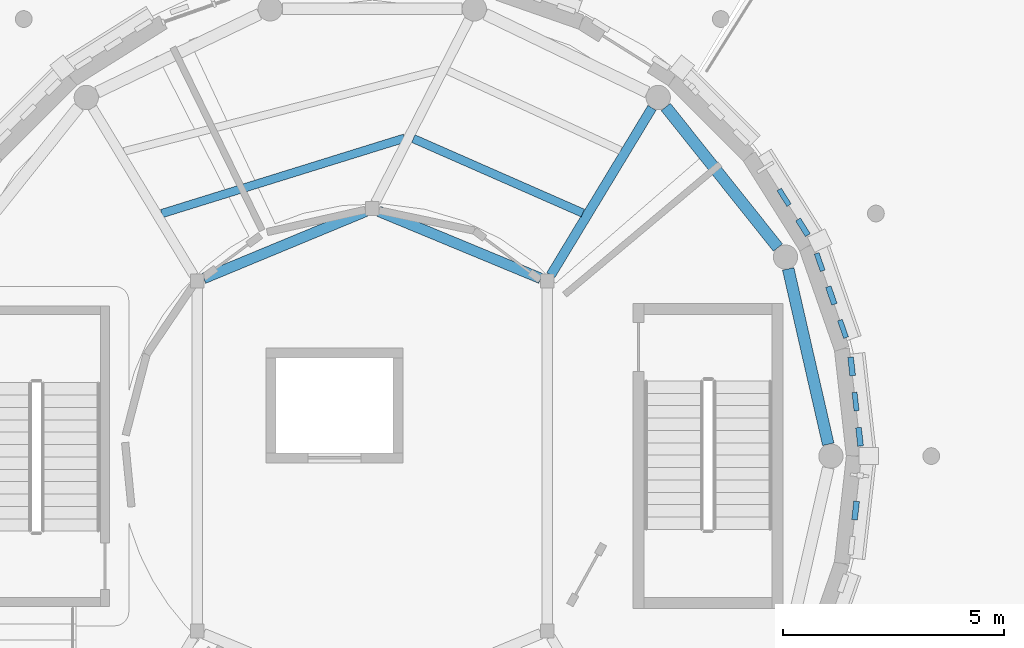
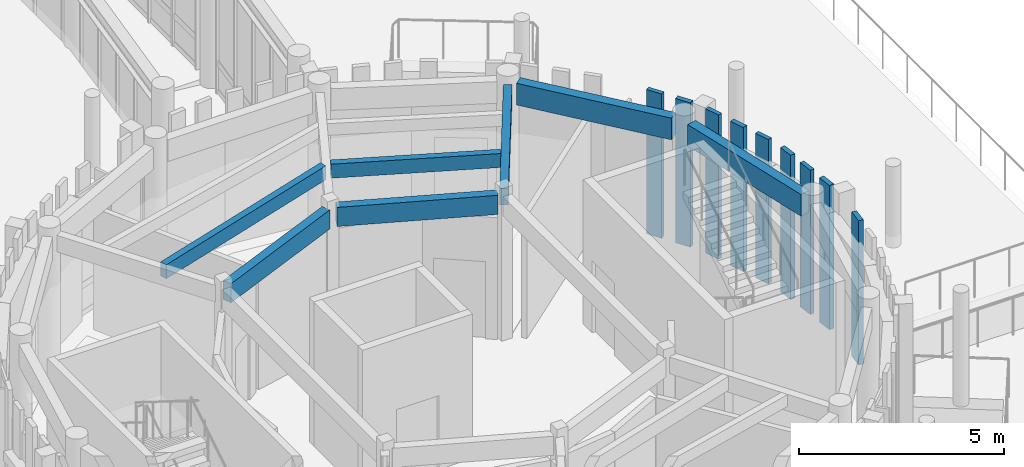
# One storey, part 12 of 94: 9 members, 7 beams.
"""IFC4 building model written with IfcOpenShell, lengths in metres."""

import ifcopenshell
import ifcopenshell.guid

model = None  # the IFC model being written
_history = None  # IfcOwnerHistory: only IFC2X3 demands one
_inside = {}  # id of a spatial element -> (the spatial element, [elements in it])
_under = {}  # id of a project, library or spatial element -> (it, [spatial elements below it])
_declared = {}  # id of a project -> (the project, [libraries it declares])
_typed = {}  # id of a type object -> (the type object, [elements of that type])
_made_of = {}  # id of a material, layer set ... -> (it, [elements and type objects made of it])


def new_model(schema):
    """Start an empty IFC model of exactly this schema.

    Asked for "IFC4X3", IfcOpenShell would pick the latest addendum, in which some entities
    have other attributes; the version numbers below select the first issue.
    IFC2X3 requires an IfcOwnerHistory on every rooted entity: one is made here for all.
    """
    global model, _history
    if schema == "IFC4X3":
        model = ifcopenshell.file(schema_version=(4, 3, 0, 0))
    else:
        model = ifcopenshell.file(schema=schema)
    _inside.clear()
    _under.clear()
    _declared.clear()
    _typed.clear()
    _made_of.clear()
    _history = None
    if model.schema == "IFC2X3":
        org = make("IfcOrganization", Name="unknown")
        user = make(
            "IfcPersonAndOrganization",
            ThePerson=make("IfcPerson", FamilyName="unknown"),
            TheOrganization=org,
        )
        app = make(
            "IfcApplication",
            ApplicationDeveloper=org,
            Version="unknown",
            ApplicationFullName="unknown",
            ApplicationIdentifier="unknown",
        )
        _history = make(
            "IfcOwnerHistory",
            OwningUser=user,
            OwningApplication=app,
            ChangeAction="ADDED",
            CreationDate=0,
        )
    return model


def make(cls, **values):
    """One entity of the class cls with the attributes given. An attribute that is None is left unset."""
    return model.create_entity(
        cls, **{name: value for name, value in values.items() if value is not None}
    )


def rooted(cls, **values):
    """An entity with a GlobalId (a new one), such as an element, a storey or a relation."""
    return make(cls, GlobalId=ifcopenshell.guid.new(), OwnerHistory=_history, **values)


def si_unit(unit_type, name, prefix=None):
    """IfcSIUnit, for example si_unit("LENGTHUNIT", "METRE", prefix="MILLI")."""
    return make("IfcSIUnit", UnitType=unit_type, Prefix=prefix, Name=name)


def assignment(units):
    """IfcUnitAssignment: the units of a project."""
    return None if units is None else make("IfcUnitAssignment", Units=units)


def point(xyz):
    """IfcCartesianPoint."""
    return None if xyz is None else make("IfcCartesianPoint", Coordinates=xyz)


def direction(xyz):
    """IfcDirection."""
    return None if xyz is None else make("IfcDirection", DirectionRatios=xyz)


def frame(location, z_axis=None, x_axis=None):
    """IfcAxis2Placement3D, a coordinate frame: its origin and axes. An axis left out is left unset."""
    return make(
        "IfcAxis2Placement3D",
        Location=point(location),
        Axis=direction(z_axis),
        RefDirection=direction(x_axis),
    )


def frame_2d(location, x_axis=None):
    """IfcAxis2Placement2D, a coordinate frame in the plane: its origin and x axis."""
    return make(
        "IfcAxis2Placement2D", Location=point(location), RefDirection=direction(x_axis)
    )


def origin():
    """The frame at (0, 0, 0) with its axes left unset."""
    return frame((0.0, 0.0, 0.0))


def origin_2d():
    """The frame at (0, 0) in the plane with its x axis left unset."""
    return frame_2d((0.0, 0.0))


def place(relative_to, where):
    """IfcLocalPlacement: puts the frame where relative to a parent placement (None: the world)."""
    return make(
        "IfcLocalPlacement", PlacementRelTo=relative_to, RelativePlacement=where
    )


def context(
    kind, dimensions, precision=None, world=None, true_north=None, identifier=None
):
    """IfcGeometricRepresentationContext, for example the 3D "Model" context."""
    return make(
        "IfcGeometricRepresentationContext",
        ContextIdentifier=identifier,
        ContextType=kind,
        CoordinateSpaceDimension=dimensions,
        Precision=precision,
        WorldCoordinateSystem=world,
        TrueNorth=true_north,
    )


def subcontext(parent, identifier, kind, view, scale=None):
    """IfcGeometricRepresentationSubContext, for example "Body" below "Model"."""
    return make(
        "IfcGeometricRepresentationSubContext",
        ContextIdentifier=identifier,
        ContextType=kind,
        ParentContext=parent,
        TargetScale=scale,
        TargetView=view,
    )


def project(units=None, contexts=None):
    """IfcProject with its units and contexts."""
    return rooted(
        "IfcProject",
        Name="project",
        RepresentationContexts=contexts,
        UnitsInContext=assignment(units),
    )


def spatial(cls, under=None, at=None, **own):
    """A site, building, storey or space (cls), placed at a placement, below another one or the project."""
    s = rooted(cls, ObjectPlacement=at, **own)
    if under is not None:
        _under.setdefault(under.id(), (under, []))[1].append(s)
    return s


def profile(cls, at=None, kind="AREA", **sizes):
    """A parametric profile (cls). Its sizes go by their IFC names, for example OverallWidth=200.0."""
    return make(cls, ProfileType=kind, Position=at, **sizes)


def rectangle(**sizes):
    """IfcRectangleProfileDef."""
    return profile("IfcRectangleProfileDef", **sizes)


def extrude(swept, where, along, depth):
    """IfcExtrudedAreaSolid: the profile swept, set in the frame where, extruded along a direction by depth."""
    return make(
        "IfcExtrudedAreaSolid",
        SweptArea=swept,
        Position=where,
        ExtrudedDirection=direction(along),
        Depth=depth,
    )


def shape(context_of_items, identifier, shape_type, items):
    """IfcShapeRepresentation: the items that make up one representation, for example the "Body"."""
    return make(
        "IfcShapeRepresentation",
        ContextOfItems=context_of_items,
        RepresentationIdentifier=identifier,
        RepresentationType=shape_type,
        Items=items,
    )


def material(Name=None, Category=None):
    """IfcMaterial."""
    return make("IfcMaterial", Name=Name, Category=Category)


def material_profile(
    of_material, cross_section, Name=None, Category=None, Priority=None
):
    """IfcMaterialProfile: a cross section and its material."""
    return make(
        "IfcMaterialProfile",
        Name=Name,
        Material=of_material,
        Profile=cross_section,
        Priority=Priority,
        Category=Category,
    )


def profile_set(profiles, Name=None, composite=None):
    """IfcMaterialProfileSet."""
    return make(
        "IfcMaterialProfileSet",
        Name=Name,
        MaterialProfiles=profiles,
        CompositeProfile=composite,
    )


def made_of(thing, what):
    """Note that an element or type object is made of a material, layer set ...; save() writes the relation."""
    if what is not None:
        _made_of.setdefault(what.id(), (what, []))[1].append(thing)
    return thing


def type_object(cls, material=None, **own):
    """A type object (cls), such as IfcWallType, which elements share."""
    return made_of(rooted(cls, **own), material)


def element(
    cls,
    number,
    at=None,
    inside=None,
    cuts=None,
    type_object=None,
    material=None,
    context=None,
    identifier="Body",
    shape_type=None,
    held_by="IfcProductDefinitionShape",
    body=None,
    shapes=None,
    **own,
):
    """One element of the class cls, such as IfcWall. Its Tag is "e" and its number.

    at: its placement. inside: the storey or other place that contains it. cuts: it is an
    opening in that element (IfcRelVoidsElement). A single representation is given by context,
    identifier, shape_type and body (its items); several are given by shapes. held_by: the class
    of the entity that holds the representations. save() writes the other relations.
    """
    e = rooted(cls, Tag="e%d" % number, ObjectPlacement=at, **own)
    if body is not None:
        shapes = [shape(context, identifier, shape_type, body)]
    if shapes is not None:
        e.Representation = make(held_by, Representations=shapes)
    if inside is not None:
        _inside.setdefault(inside.id(), (inside, []))[1].append(e)
    if cuts is not None:
        rooted(
            "IfcRelVoidsElement", RelatingBuildingElement=cuts, RelatedOpeningElement=e
        )
    if type_object is not None:
        _typed.setdefault(type_object.id(), (type_object, []))[1].append(e)
    return made_of(e, material)


def aggregate(whole, parts):
    """IfcRelAggregates: a whole, such as a stair, and the parts it consists of."""
    return rooted("IfcRelAggregates", RelatingObject=whole, RelatedObjects=parts)


def save(model, path):
    """Write the relations noted so far, then the file.

    IfcRelAggregates (storeys below a building ...), IfcRelContainedInSpatialStructure (elements
    in a storey), IfcRelDefinesByType, IfcRelAssociatesMaterial and IfcRelDeclares: one each for
    every whole, place, type object, material and project.
    """
    for whole, parts in _under.values():
        aggregate(whole, parts)
    for where, things in _inside.values():
        rooted(
            "IfcRelContainedInSpatialStructure",
            RelatedElements=things,
            RelatingStructure=where,
        )
    for kind, things in _typed.values():
        rooted("IfcRelDefinesByType", RelatedObjects=things, RelatingType=kind)
    for what, things in _made_of.values():
        rooted("IfcRelAssociatesMaterial", RelatedObjects=things, RelatingMaterial=what)
    for by, libraries in _declared.values():
        rooted("IfcRelDeclares", RelatingContext=by, RelatedDefinitions=libraries)
    model.write(path)


model = new_model("IFC4")

# Units and contexts
model_context = context("Model", 3, precision=1e-05, world=origin(), true_north=direction((0.0, 1.0)))
body_context = subcontext(model_context, "Body", "Model", "MODEL_VIEW")
ifc_project = project(units=[si_unit("LENGTHUNIT", "METRE"), si_unit("AREAUNIT", "SQUARE_METRE"), si_unit("VOLUMEUNIT", "CUBIC_METRE"), si_unit("PLANEANGLEUNIT", "RADIAN"), si_unit("MASSUNIT", "GRAM", prefix="KILO")], contexts=[model_context])

# Site, building, storey
site_placement = place(None, origin())
site = spatial("IfcSite", under=ifc_project, at=site_placement, CompositionType="ELEMENT")
building_placement = place(site_placement, origin())
building = spatial("IfcBuilding", under=site, at=building_placement, Name="Aldenvaro Health Centre", CompositionType="ELEMENT")
storey_placement = place(building_placement, origin())
storey = spatial("IfcBuildingStorey", under=building, at=storey_placement, Name="L00", CompositionType="ELEMENT", Elevation=0.0)

# Beams
ifc_material = material(Name="Glulam GL28h", Category="wood")
ifc_material_profile_1 = material_profile(ifc_material, rectangle(XDim=0.18994140625, YDim=0.41796875, at=origin_2d()), Name="GL 190x418", Category="wood")
ifc_profile_set_1 = profile_set([ifc_material_profile_1], Name="Glulam GL28h")
beam_type_1 = type_object("IfcBeamType", Name="BM-GL-418", PredefinedType="JOIST", material=ifc_profile_set_1)
beam_1_placement = place(storey_placement, frame((28.26611328125, 62.9990234375, 4.095947265625), z_axis=(-0.915566593655, 0.402166399122, 0.0), x_axis=(-0.402166399122, -0.915566593655, 0.0)))
element("IfcBeam", 1, at=beam_1_placement, inside=storey, type_object=beam_type_1, Name="D3 L00 secondary joist 01.1", PredefinedType="JOIST", context=body_context, shape_type="SweptSolid", body=[
    extrude(rectangle(XDim=0.18994140625, YDim=0.41796875, at=origin_2d()), origin(), (0.0, 0.0, 1.0), 4.18994140625),
])
beam_2_placement = place(storey_placement, frame((24.22900390625, 64.695068359375, 4.095947265625), z_axis=(-0.954919380911, -0.296865248825, 0.0), x_axis=(0.296865248825, -0.954919380911, 0.0)))
element("IfcBeam", 2, at=beam_2_placement, inside=storey, type_object=beam_type_1, Name="D3 L00 secondary joist 02.1", PredefinedType="JOIST", context=body_context, shape_type="SweptSolid", body=[
    extrude(rectangle(XDim=0.18994140625, YDim=0.41796875, at=origin_2d()), origin(), (0.0, 0.0, 1.0), 5.750244140625),
])
ifc_material_profile_2 = material_profile(ifc_material, rectangle(XDim=0.215087890625, YDim=0.493896484375, at=origin_2d()), Name="GL 215x494", Category="wood")
ifc_profile_set_2 = profile_set([ifc_material_profile_2], Name="Glulam GL28h")
beam_type_2 = type_object("IfcBeamType", Name="BM-GL-494", PredefinedType="BEAM", material=ifc_profile_set_2)
beam_3_placement = place(storey_placement, frame((27.541015625, 61.594970703125, 4.05810546875), z_axis=(0.517503931565, 0.855680828823, 0.0), x_axis=(-0.855680828823, 0.517503931565, 0.0)))
element("IfcBeam", 3, at=beam_3_placement, inside=storey, type_object=beam_type_2, Name="D3 L00 radial beam 01", PredefinedType="BEAM", context=body_context, shape_type="SweptSolid", body=[
    extrude(rectangle(XDim=0.215087890625, YDim=0.493896484375, at=origin_2d()), origin(), (0.0, 0.0, 1.0), 4.42333984375),
])
ifc_material_profile_3 = material_profile(ifc_material, rectangle(XDim=0.239990234375, YDim=0.570068359375, at=origin_2d()), Name="GL 240x570", Category="wood")
ifc_profile_set_3 = profile_set([ifc_material_profile_3], Name="Glulam GL28h")
beam_type_3 = type_object("IfcBeamType", Name="BM-GL-570", PredefinedType="BEAM", material=ifc_profile_set_3)
for number, where, z_axis, x_axis, name in (
    (4, (27.31396484375, 61.52001953125, 4.02001953125), (-0.923817443679, 0.382833293686, 0.0), (-0.382833293686, -0.923817443679, 0.0), "D3 L00 inner ring beam 01"),
    (5, (23.35400390625, 63.0400390625, 4.02001953125), (-0.923817443679, -0.382833293686, 0.0), (0.382833293686, -0.923817443679, 0.0), "D3 L00 inner ring beam 02"),
):
    element("IfcBeam", number, at=place(storey_placement, frame(where, z_axis=z_axis, x_axis=x_axis)), inside=storey, type_object=beam_type_3, Name=name, PredefinedType="BEAM", context=body_context, shape_type="SweptSolid", body=[
        extrude(rectangle(XDim=0.239990234375, YDim=0.570068359375, at=origin_2d()), origin(), (0.0, 0.0, 1.0), 3.970458984375),
    ])
ifc_material_profile_4 = material_profile(ifc_material, rectangle(XDim=0.264892578125, YDim=0.64599609375, at=origin_2d()), Name="GL 265x646", Category="wood")
ifc_profile_set_4 = profile_set([ifc_material_profile_4], Name="Glulam GL28h")
beam_type_4 = type_object("IfcBeamType", Name="BM-GL-646", PredefinedType="SPANDREL", material=ifc_profile_set_4)
beam_4_placement = place(storey_placement, frame((33.819091796875, 57.76806640625, 3.98193359375), z_axis=(-0.222598403524, 0.97491022702, 0.0), x_axis=(-0.97491022702, -0.222598403524, 0.0)))
element("IfcBeam", 6, at=beam_4_placement, inside=storey, type_object=beam_type_4, Name="D3 L00 perimeter spandrel 01", PredefinedType="SPANDREL", context=body_context, shape_type="SweptSolid", body=[
    extrude(rectangle(XDim=0.264892578125, YDim=0.64599609375, at=origin_2d()), origin(), (0.0, 0.0, 1.0), 4.070068359375),
])
beam_5_placement = place(storey_placement, frame((32.680908203125, 62.218994140625, 3.98193359375), z_axis=(-0.623662856495, 0.781693444663, 0.0), x_axis=(-0.781693444663, -0.623662856495, 0.0)))
element("IfcBeam", 7, at=beam_5_placement, inside=storey, type_object=beam_type_4, Name="D3 L00 perimeter spandrel 02", PredefinedType="SPANDREL", context=body_context, shape_type="SweptSolid", body=[
    extrude(rectangle(XDim=0.264892578125, YDim=0.64599609375, at=origin_2d()), origin(), (0.0, 0.0, 1.0), 4.0693359375),
])

# Members
ifc_material_profile_5 = material_profile(ifc_material, rectangle(XDim=0.114990234375, YDim=0.419921875, at=origin_2d()), Name="GL 115x420", Category="wood")
ifc_profile_set_5 = profile_set([ifc_material_profile_5], Name="Glulam GL28h")
member_type_1 = type_object("IfcMemberType", Name="MEM-SLT-420A", PredefinedType="POST", material=ifc_profile_set_5)
for number, where, z_axis, x_axis, name in (
    (8, (32.820068359375, 63.35595703125, 0.0), (0.0, 0.0, 1.0), (0.846684003256, 0.532096042675, 0.0), "D3 L00 vertical timber slat 26.2"),
    (9, (33.625, 61.889892578125, 0.0), (0.0, 0.0, 1.0), (0.943909441385, 0.330204431323, 0.0), "D3 L00 vertical timber slat 27.1"),
    (10, (34.153076171875, 60.37890625, 0.0), (0.0, 0.0, 1.0), (0.943909441385, 0.330204431323, 0.0), "D3 L00 vertical timber slat 27.3"),
    (11, (34.43701171875, 58.73193359375, 0.0), (0.0, 0.0, 1.0), (0.993722777443, 0.111870646695, 0.0), "D3 L00 vertical timber slat 28.2"),
):
    element("IfcMember", number, at=place(storey_placement, frame(where, z_axis=z_axis, x_axis=x_axis)), inside=storey, type_object=member_type_1, Name=name, PredefinedType="POST", context=body_context, shape_type="SweptSolid", body=[
        extrude(rectangle(XDim=0.114990234375, YDim=0.419921875, at=origin_2d()), origin(), (0.0, 0.0, 1.0), 4.304931640625),
    ])
ifc_material_profile_6 = material_profile(ifc_material, rectangle(XDim=0.1298828125, YDim=0.419921875, at=origin_2d()), Name="GL 130x420", Category="wood")
ifc_profile_set_6 = profile_set([ifc_material_profile_6], Name="Glulam GL28h")
member_type_2 = type_object("IfcMemberType", Name="MEM-SLT-420B", PredefinedType="POST", material=ifc_profile_set_6)
for number, where, z_axis, x_axis, name in (
    (12, (34.43701171875, 56.26806640625, 0.0), (0.0, 0.0, 1.0), (0.993722777443, -0.111870646695, 0.0), "D3 L00 vertical timber slat 1.2"),
    (13, (33.24609375, 62.677978515625, 0.0), (0.0, 0.0, 1.0), (0.846684003256, 0.532096042675, 0.0), "D3 L00 vertical timber slat 26.3"),
    (14, (33.888916015625, 61.135009765625, 0.0), (0.0, 0.0, 1.0), (0.943909441385, 0.330204431323, 0.0), "D3 L00 vertical timber slat 27.2"),
    (15, (34.347900390625, 59.527099609375, 0.0), (0.0, 0.0, 1.0), (0.993722777443, 0.111870646695, 0.0), "D3 L00 vertical timber slat 28.1"),
    (16, (34.527099609375, 57.93701171875, 0.0), (0.0, 0.0, 1.0), (0.993722777443, 0.111870646695, 0.0), "D3 L00 vertical timber slat 28.3"),
):
    element("IfcMember", number, at=place(storey_placement, frame(where, z_axis=z_axis, x_axis=x_axis)), inside=storey, type_object=member_type_2, Name=name, PredefinedType="POST", context=body_context, shape_type="SweptSolid", body=[
        extrude(rectangle(XDim=0.1298828125, YDim=0.419921875, at=origin_2d()), origin(), (0.0, 0.0, 1.0), 4.304931640625),
    ])

save(model, "model.ifc")
